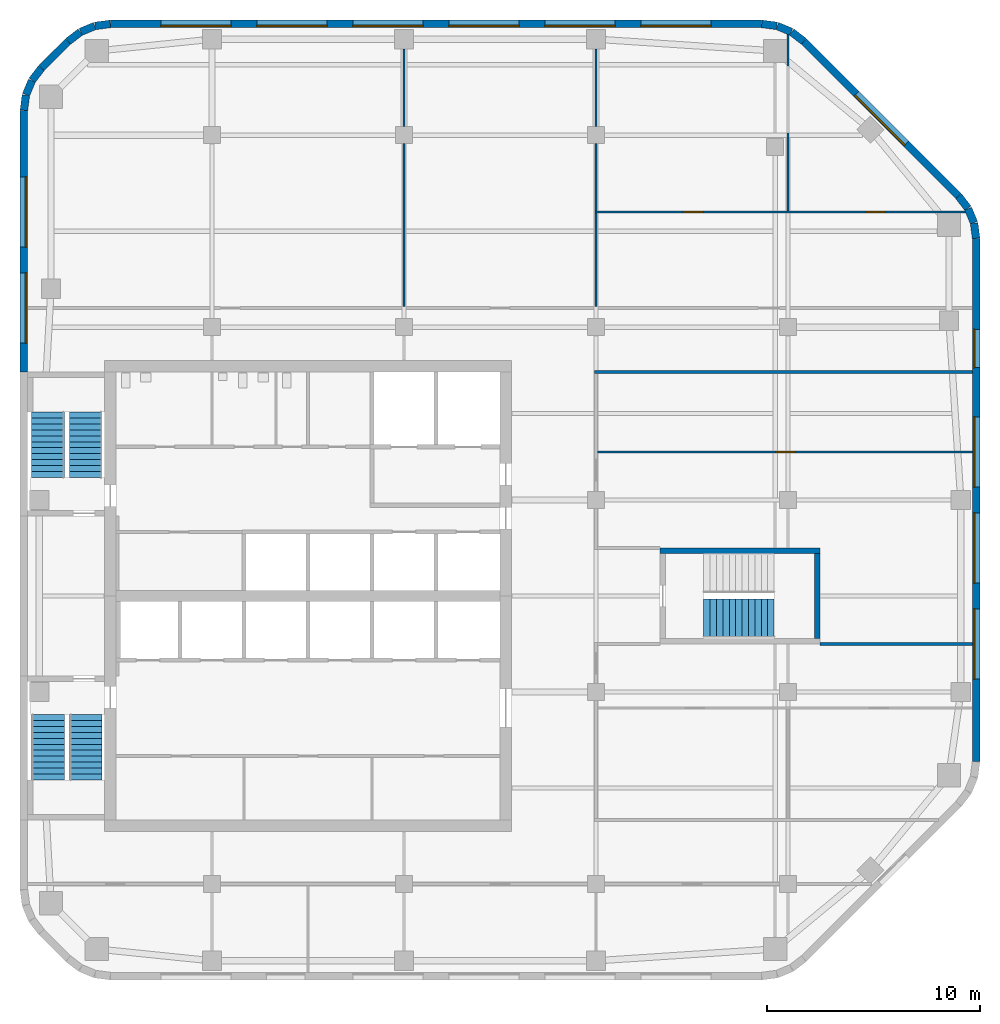
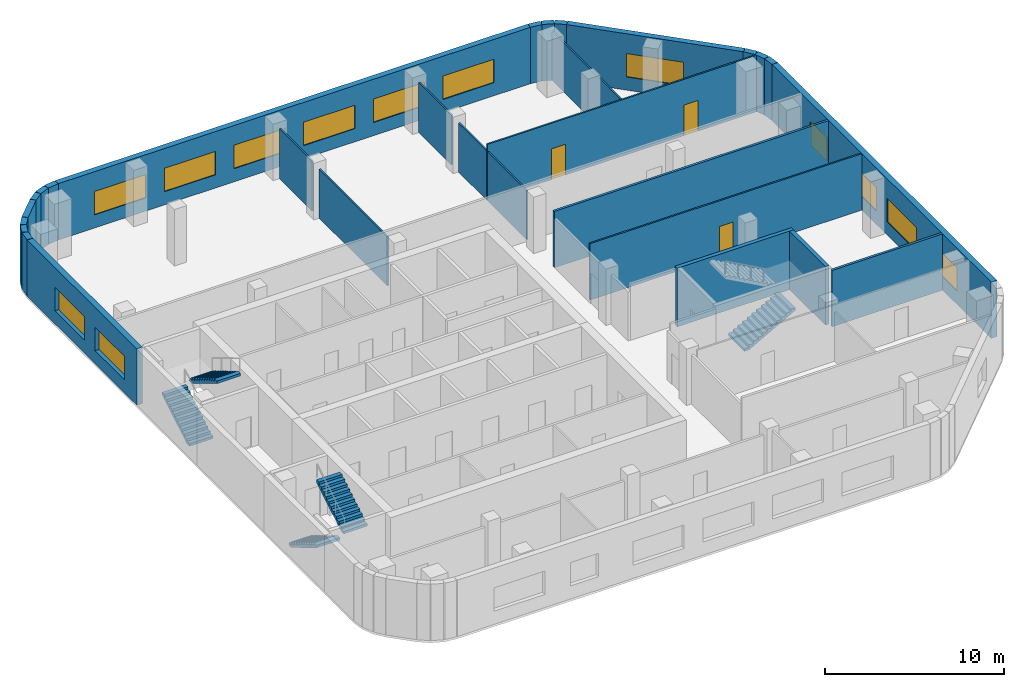
# One storey, part 5 of 8: 29 walls, 13 windows, 5 stair flights, 3 doors, 16 openings, 3 elements without a shape of their own.
"""IFC4 building model written with IfcOpenShell, lengths in metres."""

from ifc_helpers import new_model, si_unit, direction, frame, frame_2d, origin, place, context, subcontext, project, spatial, polyline, rectangle, outline, extrude, material, layer, layer_set, type_object, element, fill, aggregate, save


model = new_model("IFC4")

# Units and contexts
model_context = context("Model", 3, precision=1e-05, world=origin(), true_north=direction((0.0, 1.0)))
body_context = subcontext(model_context, "Body", "Model", "MODEL_VIEW")
ifc_project = project(units=[si_unit("LENGTHUNIT", "METRE"), si_unit("AREAUNIT", "SQUARE_METRE"), si_unit("VOLUMEUNIT", "CUBIC_METRE"), si_unit("PLANEANGLEUNIT", "RADIAN"), si_unit("MASSUNIT", "GRAM", prefix="KILO")], contexts=[model_context])

# Site, building, storey
site_placement = place(None, origin())
site = spatial("IfcSite", under=ifc_project, at=site_placement, CompositionType="ELEMENT")
building_placement = place(site_placement, origin())
building = spatial("IfcBuilding", under=site, at=building_placement, Name="Cinnabar Reach Civic Tower", CompositionType="ELEMENT")
storey_placement = place(building_placement, frame((0.0, 0.0, 222.0)))
storey = spatial("IfcBuildingStorey", under=building, at=storey_placement, Name="L53", CompositionType="ELEMENT", Elevation=222.0)

# Walls
ifc_material_1 = material(Name="Facing brick with insulated backing", Category="masonry")
ifc_layer_1 = layer(ifc_material_1, 0.36)
ifc_layer_set_1 = layer_set([ifc_layer_1], Name="Brick corner wall")
wall_type_1 = type_object("IfcWallType", Name="Brick corner wall", PredefinedType="STANDARD", material=ifc_layer_set_1)
for number, where, z_axis, x_axis, name in (
    (1, (44.817, 48.2686, 0.0), (0.0, 0.0, 1.0), (-0.13055608231, 0.99144092581, 0.0), "Brick corner wall"),
    (2, (44.7181, 48.9973, 0.0), (0.0, 0.0, 1.0), (-0.382702709855, 0.923871547278, 0.0), "Brick corner wall"),
):
    element("IfcWall", number, at=place(storey_placement, frame(where, z_axis=z_axis, x_axis=x_axis)), inside=storey, type_object=wall_type_1, Name=name, PredefinedType="STANDARD", context=body_context, shape_type="SweptSolid", body=[
        extrude(rectangle(XDim=0.7131, YDim=0.36, at=frame_2d((0.3565, 0.0))), origin(), (0.0, 0.0, 1.0), 3.85),
    ])
for number, where, z_axis, x_axis, name in (
    (3, (44.434, 49.6755, 0.0), (0.0, 0.0, 1.0), (-0.608802368033, 0.793321924995, 0.0), "Brick corner wall"),
    (4, (36.7413, 57.4998, 0.0), (0.0, 0.0, 1.0), (-0.793321924995, 0.608802368033, 0.0), "Brick corner wall"),
):
    element("IfcWall", number, at=place(storey_placement, frame(where, z_axis=z_axis, x_axis=x_axis)), inside=storey, type_object=wall_type_1, Name=name, PredefinedType="STANDARD", context=body_context, shape_type="SweptSolid", body=[
        extrude(rectangle(XDim=0.7132, YDim=0.36, at=frame_2d((0.3566, 0.0))), origin(), (0.0, 0.0, 1.0), 3.85),
    ])
for number, where, z_axis, x_axis, name in (
    (5, (36.1561, 57.9452, 0.0), (0.0, 0.0, 1.0), (-0.923871547278, 0.382702709855, 0.0), "Brick corner wall"),
    (6, (35.4756, 58.2239, 0.0), (0.0, 0.0, 1.0), (-0.99144092581, 0.13055608231, 0.0), "Brick corner wall"),
    (7, (4.2314, 58.317, 0.0), (0.0, 0.0, 1.0), (-0.99144092581, -0.13055608231, 0.0), "Brick corner wall"),
    (8, (3.5027, 58.2181, 0.0), (0.0, 0.0, 1.0), (-0.923871547278, -0.382702709855, 0.0), "Brick corner wall"),
):
    element("IfcWall", number, at=place(storey_placement, frame(where, z_axis=z_axis, x_axis=x_axis)), inside=storey, type_object=wall_type_1, Name=name, PredefinedType="STANDARD", context=body_context, shape_type="SweptSolid", body=[
        extrude(rectangle(XDim=0.7131, YDim=0.36, at=frame_2d((0.3565, 0.0))), origin(), (0.0, 0.0, 1.0), 3.85),
    ])
for number, where, z_axis, x_axis, name in (
    (9, (2.8245, 57.934, 0.0), (0.0, 0.0, 1.0), (-0.793321924995, -0.608802368033, 0.0), "Brick corner wall"),
    (10, (1.0002, 56.2413, 0.0), (0.0, 0.0, 1.0), (-0.608802368033, -0.793321924995, 0.0), "Brick corner wall"),
):
    element("IfcWall", number, at=place(storey_placement, frame(where, z_axis=z_axis, x_axis=x_axis)), inside=storey, type_object=wall_type_1, Name=name, PredefinedType="STANDARD", context=body_context, shape_type="SweptSolid", body=[
        extrude(rectangle(XDim=0.7132, YDim=0.36, at=frame_2d((0.3566, 0.0))), origin(), (0.0, 0.0, 1.0), 3.85),
    ])
for number, where, z_axis, x_axis, name in (
    (11, (0.5548, 55.6561, 0.0), (0.0, 0.0, 1.0), (-0.382702709855, -0.923871547278, 0.0), "Brick corner wall"),
    (12, (0.2761, 54.9756, 0.0), (0.0, 0.0, 1.0), (-0.13055608231, -0.99144092581, 0.0), "Brick corner wall"),
):
    element("IfcWall", number, at=place(storey_placement, frame(where, z_axis=z_axis, x_axis=x_axis)), inside=storey, type_object=wall_type_1, Name=name, PredefinedType="STANDARD", context=body_context, shape_type="SweptSolid", body=[
        extrude(rectangle(XDim=0.7131, YDim=0.36, at=frame_2d((0.3565, 0.0))), origin(), (0.0, 0.0, 1.0), 3.85),
    ])

# Wall, openings, windows
ifc_layer_2 = layer(ifc_material_1, 0.36)
ifc_layer_set_2 = layer_set([ifc_layer_2], Name="Brick pier and spandrel wall")
wall_type_2 = type_object("IfcWallType", Name="Brick pier and spandrel wall", PredefinedType="STANDARD", material=ifc_layer_set_2)
wall_1_placement = place(storey_placement, frame((44.82, 23.7426, 0.0), z_axis=(0.0, 0.0, 1.0), x_axis=(0.0, 1.0, 0.0)))
wall_1 = element("IfcWall", 13, at=wall_1_placement, inside=storey, type_object=wall_type_2, Name="Brick facade wall", PredefinedType="STANDARD", context=body_context, shape_type="SweptSolid", body=[
    extrude(rectangle(XDim=24.5148, YDim=0.36, at=frame_2d((12.2574, 0.0))), origin(), (0.0, 0.0, 1.0), 3.85),
])
opening_1_placement = place(wall_1_placement, frame((3.8574, 0.0, 0.9)))
opening_1 = element("IfcOpeningElement", 14, at=opening_1_placement, cuts=wall_1, Name="Opening W2087", PredefinedType="OPENING", context=body_context, shape_type="SweptSolid", body=[
    extrude(rectangle(XDim=3.3, YDim=1.6, at=frame_2d((1.65, 0.8))), frame((0.0, 0.19, 0.0), z_axis=(0.0, -1.0, 0.0), x_axis=(1.0, 0.0, 0.0)), (0.0, 0.0, 1.0), 0.38),
])
opening_2_placement = place(wall_1_placement, frame((8.3574, 0.0, 0.9)))
opening_2 = element("IfcOpeningElement", 15, at=opening_2_placement, cuts=wall_1, Name="Opening W2088", PredefinedType="OPENING", context=body_context, shape_type="SweptSolid", body=[
    extrude(rectangle(XDim=3.3, YDim=1.6, at=frame_2d((1.65, 0.8))), frame((0.0, 0.19, 0.0), z_axis=(0.0, -1.0, 0.0), x_axis=(1.0, 0.0, 0.0)), (0.0, 0.0, 1.0), 0.38),
])
opening_3_placement = place(wall_1_placement, frame((12.8574, 0.0, 0.9)))
opening_3 = element("IfcOpeningElement", 16, at=opening_3_placement, cuts=wall_1, Name="Opening W2089", PredefinedType="OPENING", context=body_context, shape_type="SweptSolid", body=[
    extrude(rectangle(XDim=3.3, YDim=1.6, at=frame_2d((1.65, 0.8))), frame((0.0, 0.19, 0.0), z_axis=(0.0, -1.0, 0.0), x_axis=(1.0, 0.0, 0.0)), (0.0, 0.0, 1.0), 0.38),
])
opening_4_placement = place(wall_1_placement, frame((18.4574, 0.0, 0.9)))
opening_4 = element("IfcOpeningElement", 17, at=opening_4_placement, cuts=wall_1, Name="Opening W2090", PredefinedType="OPENING", context=body_context, shape_type="SweptSolid", body=[
    extrude(rectangle(XDim=1.8, YDim=1.6, at=frame_2d((0.9, 0.8))), frame((0.0, 0.19, 0.0), z_axis=(0.0, -1.0, 0.0), x_axis=(1.0, 0.0, 0.0)), (0.0, 0.0, 1.0), 0.38),
])
ifc_material_2 = material(Name="Clear double glazing in aluminium frame", Category="aluminium")
window_type_1 = type_object("IfcWindowType", Name="Deep-set window A", PartitioningType="SINGLE_PANEL", PredefinedType="WINDOW", material=ifc_material_2)
window_1_placement = place(opening_1_placement, origin())
window_1 = element("IfcWindow", 18, at=window_1_placement, inside=storey, type_object=window_type_1, Name="Window east face", OverallHeight=1.6, OverallWidth=3.3, PartitioningType="SINGLE_PANEL", PredefinedType="WINDOW", context=body_context, shape_type="SweptSolid", body=[
    extrude(rectangle(XDim=3.3, YDim=1.6, at=frame_2d((1.65, 0.8))), frame((0.0, 0.13, 0.0), z_axis=(0.0, -1.0, 0.0), x_axis=(1.0, 0.0, 0.0)), (0.0, 0.0, 1.0), 0.06),
])
fill(opening_1, window_1)
window_2_placement = place(opening_2_placement, origin())
window_2 = element("IfcWindow", 19, at=window_2_placement, inside=storey, type_object=window_type_1, Name="Window east face", OverallHeight=1.6, OverallWidth=3.3, PartitioningType="SINGLE_PANEL", PredefinedType="WINDOW", context=body_context, shape_type="SweptSolid", body=[
    extrude(rectangle(XDim=3.3, YDim=1.6, at=frame_2d((1.65, 0.8))), frame((0.0, 0.13, 0.0), z_axis=(0.0, -1.0, 0.0), x_axis=(1.0, 0.0, 0.0)), (0.0, 0.0, 1.0), 0.06),
])
fill(opening_2, window_2)
window_3_placement = place(opening_3_placement, origin())
window_3 = element("IfcWindow", 20, at=window_3_placement, inside=storey, type_object=window_type_1, Name="Window east face", OverallHeight=1.6, OverallWidth=3.3, PartitioningType="SINGLE_PANEL", PredefinedType="WINDOW", context=body_context, shape_type="SweptSolid", body=[
    extrude(rectangle(XDim=3.3, YDim=1.6, at=frame_2d((1.65, 0.8))), frame((0.0, 0.13, 0.0), z_axis=(0.0, -1.0, 0.0), x_axis=(1.0, 0.0, 0.0)), (0.0, 0.0, 1.0), 0.06),
])
fill(opening_3, window_3)
window_type_2 = type_object("IfcWindowType", Name="Deep-set window D", PartitioningType="SINGLE_PANEL", PredefinedType="WINDOW", material=ifc_material_2)
window_4_placement = place(opening_4_placement, origin())
window_4 = element("IfcWindow", 21, at=window_4_placement, inside=storey, type_object=window_type_2, Name="Window east face", OverallHeight=1.6, OverallWidth=1.8, PartitioningType="SINGLE_PANEL", PredefinedType="WINDOW", context=body_context, shape_type="SweptSolid", body=[
    extrude(rectangle(XDim=1.8, YDim=1.6, at=frame_2d((0.9, 0.8))), frame((0.0, 0.13, 0.0), z_axis=(0.0, -1.0, 0.0), x_axis=(1.0, 0.0, 0.0)), (0.0, 0.0, 1.0), 0.06),
])
fill(opening_4, window_4)

# Wall, opening, window
wall_2_placement = place(storey_placement, frame((43.994, 50.2514, 0.0), z_axis=(0.0, 0.0, 1.0), x_axis=(-0.707106781187, 0.707106781187, 0.0)))
wall_2 = element("IfcWall", 22, at=wall_2_placement, inside=storey, type_object=wall_type_2, Name="Brick facade wall", PredefinedType="STANDARD", context=body_context, shape_type="SweptSolid", body=[
    extrude(rectangle(XDim=10.2426, YDim=0.36, at=frame_2d((5.1213, 0.0))), origin(), (0.0, 0.0, 1.0), 3.85),
])
opening_5_placement = place(wall_2_placement, frame((3.4713, 0.0, 0.9)))
opening_5 = element("IfcOpeningElement", 23, at=opening_5_placement, cuts=wall_2, Name="Opening W2091", PredefinedType="OPENING", context=body_context, shape_type="SweptSolid", body=[
    extrude(rectangle(XDim=3.3, YDim=1.6, at=frame_2d((1.65, 0.8))), frame((0.0, 0.19, 0.0), z_axis=(0.0, -1.0, 0.0), x_axis=(1.0, 0.0, 0.0)), (0.0, 0.0, 1.0), 0.38),
])
window_5_placement = place(opening_5_placement, origin())
window_5 = element("IfcWindow", 24, at=window_5_placement, inside=storey, type_object=window_type_1, Name="Window northeast face", OverallHeight=1.6, OverallWidth=3.3, PartitioningType="SINGLE_PANEL", PredefinedType="WINDOW", context=body_context, shape_type="SweptSolid", body=[
    extrude(rectangle(XDim=3.3, YDim=1.6, at=frame_2d((1.65, 0.8))), frame((0.0, 0.13, 0.0), z_axis=(0.0, -1.0, 0.0), x_axis=(1.0, 0.0, 0.0)), (0.0, 0.0, 1.0), 0.06),
])
fill(opening_5, window_5)

# Wall, openings, windows
wall_3_placement = place(storey_placement, frame((34.7574, 58.32, 0.0), z_axis=(0.0, 0.0, 1.0), x_axis=(-1.0, 0.0, 0.0)))
wall_3 = element("IfcWall", 25, at=wall_3_placement, inside=storey, type_object=wall_type_2, Name="Brick facade wall", PredefinedType="STANDARD", context=body_context, shape_type="SweptSolid", body=[
    extrude(rectangle(XDim=30.5148, YDim=0.36, at=frame_2d((15.2574, 0.0))), origin(), (0.0, 0.0, 1.0), 3.85),
])
opening_6_placement = place(wall_3_placement, frame((2.3574, 0.0, 0.9)))
opening_6 = element("IfcOpeningElement", 26, at=opening_6_placement, cuts=wall_3, Name="Opening W2092", PredefinedType="OPENING", context=body_context, shape_type="SweptSolid", body=[
    extrude(rectangle(XDim=3.3, YDim=1.6, at=frame_2d((1.65, 0.8))), frame((0.0, 0.19, 0.0), z_axis=(0.0, -1.0, 0.0), x_axis=(1.0, 0.0, 0.0)), (0.0, 0.0, 1.0), 0.38),
])
opening_7_placement = place(wall_3_placement, frame((6.8574, 0.0, 0.9)))
opening_7 = element("IfcOpeningElement", 27, at=opening_7_placement, cuts=wall_3, Name="Opening W2093", PredefinedType="OPENING", context=body_context, shape_type="SweptSolid", body=[
    extrude(rectangle(XDim=3.3, YDim=1.6, at=frame_2d((1.65, 0.8))), frame((0.0, 0.19, 0.0), z_axis=(0.0, -1.0, 0.0), x_axis=(1.0, 0.0, 0.0)), (0.0, 0.0, 1.0), 0.38),
])
opening_8_placement = place(wall_3_placement, frame((11.3574, 0.0, 0.9)))
opening_8 = element("IfcOpeningElement", 28, at=opening_8_placement, cuts=wall_3, Name="Opening W2094", PredefinedType="OPENING", context=body_context, shape_type="SweptSolid", body=[
    extrude(rectangle(XDim=3.3, YDim=1.6, at=frame_2d((1.65, 0.8))), frame((0.0, 0.19, 0.0), z_axis=(0.0, -1.0, 0.0), x_axis=(1.0, 0.0, 0.0)), (0.0, 0.0, 1.0), 0.38),
])
opening_9_placement = place(wall_3_placement, frame((15.8574, 0.0, 0.9)))
opening_9 = element("IfcOpeningElement", 29, at=opening_9_placement, cuts=wall_3, Name="Opening W2095", PredefinedType="OPENING", context=body_context, shape_type="SweptSolid", body=[
    extrude(rectangle(XDim=3.3, YDim=1.6, at=frame_2d((1.65, 0.8))), frame((0.0, 0.19, 0.0), z_axis=(0.0, -1.0, 0.0), x_axis=(1.0, 0.0, 0.0)), (0.0, 0.0, 1.0), 0.38),
])
opening_10_placement = place(wall_3_placement, frame((20.3574, 0.0, 0.9)))
opening_10 = element("IfcOpeningElement", 30, at=opening_10_placement, cuts=wall_3, Name="Opening W2096", PredefinedType="OPENING", context=body_context, shape_type="SweptSolid", body=[
    extrude(rectangle(XDim=3.3, YDim=1.6, at=frame_2d((1.65, 0.8))), frame((0.0, 0.19, 0.0), z_axis=(0.0, -1.0, 0.0), x_axis=(1.0, 0.0, 0.0)), (0.0, 0.0, 1.0), 0.38),
])
opening_11_placement = place(wall_3_placement, frame((24.8574, 0.0, 0.9)))
opening_11 = element("IfcOpeningElement", 31, at=opening_11_placement, cuts=wall_3, Name="Opening W2097", PredefinedType="OPENING", context=body_context, shape_type="SweptSolid", body=[
    extrude(rectangle(XDim=3.3, YDim=1.6, at=frame_2d((1.65, 0.8))), frame((0.0, 0.19, 0.0), z_axis=(0.0, -1.0, 0.0), x_axis=(1.0, 0.0, 0.0)), (0.0, 0.0, 1.0), 0.38),
])
window_6_placement = place(opening_6_placement, origin())
window_6 = element("IfcWindow", 32, at=window_6_placement, inside=storey, type_object=window_type_1, Name="Window north face", OverallHeight=1.6, OverallWidth=3.3, PartitioningType="SINGLE_PANEL", PredefinedType="WINDOW", context=body_context, shape_type="SweptSolid", body=[
    extrude(rectangle(XDim=3.3, YDim=1.6, at=frame_2d((1.65, 0.8))), frame((0.0, 0.13, 0.0), z_axis=(0.0, -1.0, 0.0), x_axis=(1.0, 0.0, 0.0)), (0.0, 0.0, 1.0), 0.06),
])
fill(opening_6, window_6)
window_7_placement = place(opening_7_placement, origin())
window_7 = element("IfcWindow", 33, at=window_7_placement, inside=storey, type_object=window_type_1, Name="Window north face", OverallHeight=1.6, OverallWidth=3.3, PartitioningType="SINGLE_PANEL", PredefinedType="WINDOW", context=body_context, shape_type="SweptSolid", body=[
    extrude(rectangle(XDim=3.3, YDim=1.6, at=frame_2d((1.65, 0.8))), frame((0.0, 0.13, 0.0), z_axis=(0.0, -1.0, 0.0), x_axis=(1.0, 0.0, 0.0)), (0.0, 0.0, 1.0), 0.06),
])
fill(opening_7, window_7)
window_8_placement = place(opening_8_placement, origin())
window_8 = element("IfcWindow", 34, at=window_8_placement, inside=storey, type_object=window_type_1, Name="Window north face", OverallHeight=1.6, OverallWidth=3.3, PartitioningType="SINGLE_PANEL", PredefinedType="WINDOW", context=body_context, shape_type="SweptSolid", body=[
    extrude(rectangle(XDim=3.3, YDim=1.6, at=frame_2d((1.65, 0.8))), frame((0.0, 0.13, 0.0), z_axis=(0.0, -1.0, 0.0), x_axis=(1.0, 0.0, 0.0)), (0.0, 0.0, 1.0), 0.06),
])
fill(opening_8, window_8)
window_9_placement = place(opening_9_placement, origin())
window_9 = element("IfcWindow", 35, at=window_9_placement, inside=storey, type_object=window_type_1, Name="Window north face", OverallHeight=1.6, OverallWidth=3.3, PartitioningType="SINGLE_PANEL", PredefinedType="WINDOW", context=body_context, shape_type="SweptSolid", body=[
    extrude(rectangle(XDim=3.3, YDim=1.6, at=frame_2d((1.65, 0.8))), frame((0.0, 0.13, 0.0), z_axis=(0.0, -1.0, 0.0), x_axis=(1.0, 0.0, 0.0)), (0.0, 0.0, 1.0), 0.06),
])
fill(opening_9, window_9)
window_10_placement = place(opening_10_placement, origin())
window_10 = element("IfcWindow", 36, at=window_10_placement, inside=storey, type_object=window_type_1, Name="Window north face", OverallHeight=1.6, OverallWidth=3.3, PartitioningType="SINGLE_PANEL", PredefinedType="WINDOW", context=body_context, shape_type="SweptSolid", body=[
    extrude(rectangle(XDim=3.3, YDim=1.6, at=frame_2d((1.65, 0.8))), frame((0.0, 0.13, 0.0), z_axis=(0.0, -1.0, 0.0), x_axis=(1.0, 0.0, 0.0)), (0.0, 0.0, 1.0), 0.06),
])
fill(opening_10, window_10)
window_11_placement = place(opening_11_placement, origin())
window_11 = element("IfcWindow", 37, at=window_11_placement, inside=storey, type_object=window_type_1, Name="Window north face", OverallHeight=1.6, OverallWidth=3.3, PartitioningType="SINGLE_PANEL", PredefinedType="WINDOW", context=body_context, shape_type="SweptSolid", body=[
    extrude(rectangle(XDim=3.3, YDim=1.6, at=frame_2d((1.65, 0.8))), frame((0.0, 0.13, 0.0), z_axis=(0.0, -1.0, 0.0), x_axis=(1.0, 0.0, 0.0)), (0.0, 0.0, 1.0), 0.06),
])
fill(opening_11, window_11)

# Wall
wall_4_placement = place(storey_placement, frame((2.2486, 57.494, 0.0), z_axis=(0.0, 0.0, 1.0), x_axis=(-0.707106781187, -0.707106781187, 0.0)))
element("IfcWall", 38, at=wall_4_placement, inside=storey, type_object=wall_type_2, Name="Brick facade wall", PredefinedType="STANDARD", context=body_context, shape_type="SweptSolid", body=[
    extrude(rectangle(XDim=1.7573, YDim=0.36, at=frame_2d((0.8787, 0.0))), origin(), (0.0, 0.0, 1.0), 3.85),
])

# Wall, openings, windows
wall_5_placement = place(storey_placement, frame((0.18, 54.2574, 0.0), z_axis=(0.0, 0.0, 1.0), x_axis=(0.0, -1.0, 0.0)))
wall_5 = element("IfcWall", 39, at=wall_5_placement, inside=storey, type_object=wall_type_2, Name="Brick facade wall", PredefinedType="STANDARD", context=body_context, shape_type="SweptSolid", body=[
    extrude(rectangle(XDim=12.2574, YDim=0.36, at=frame_2d((6.1287, 0.0))), origin(), (0.0, 0.0, 1.0), 3.85),
])
opening_12_placement = place(wall_5_placement, frame((3.1074, 0.0, 0.9)))
opening_12 = element("IfcOpeningElement", 40, at=opening_12_placement, cuts=wall_5, Name="Opening W2098", PredefinedType="OPENING", context=body_context, shape_type="SweptSolid", body=[
    extrude(rectangle(XDim=3.3, YDim=1.6, at=frame_2d((1.65, 0.8))), frame((0.0, 0.19, 0.0), z_axis=(0.0, -1.0, 0.0), x_axis=(1.0, 0.0, 0.0)), (0.0, 0.0, 1.0), 0.38),
])
opening_13_placement = place(wall_5_placement, frame((7.6074, 0.0, 0.9)))
opening_13 = element("IfcOpeningElement", 41, at=opening_13_placement, cuts=wall_5, Name="Opening W2099", PredefinedType="OPENING", context=body_context, shape_type="SweptSolid", body=[
    extrude(rectangle(XDim=3.3, YDim=1.6, at=frame_2d((1.65, 0.8))), frame((0.0, 0.19, 0.0), z_axis=(0.0, -1.0, 0.0), x_axis=(1.0, 0.0, 0.0)), (0.0, 0.0, 1.0), 0.38),
])
window_12_placement = place(opening_12_placement, origin())
window_12 = element("IfcWindow", 42, at=window_12_placement, inside=storey, type_object=window_type_1, Name="Window west face", OverallHeight=1.6, OverallWidth=3.3, PartitioningType="SINGLE_PANEL", PredefinedType="WINDOW", context=body_context, shape_type="SweptSolid", body=[
    extrude(rectangle(XDim=3.3, YDim=1.6, at=frame_2d((1.65, 0.8))), frame((0.0, 0.13, 0.0), z_axis=(0.0, -1.0, 0.0), x_axis=(1.0, 0.0, 0.0)), (0.0, 0.0, 1.0), 0.06),
])
fill(opening_12, window_12)
window_13_placement = place(opening_13_placement, origin())
window_13 = element("IfcWindow", 43, at=window_13_placement, inside=storey, type_object=window_type_1, Name="Window west face", OverallHeight=1.6, OverallWidth=3.3, PartitioningType="SINGLE_PANEL", PredefinedType="WINDOW", context=body_context, shape_type="SweptSolid", body=[
    extrude(rectangle(XDim=3.3, YDim=1.6, at=frame_2d((1.65, 0.8))), frame((0.0, 0.13, 0.0), z_axis=(0.0, -1.0, 0.0), x_axis=(1.0, 0.0, 0.0)), (0.0, 0.0, 1.0), 0.06),
])
fill(opening_13, window_13)

# Wall
ifc_material_3 = material(Name="Gypsum board on steel studs, double layer", Category="steel")
ifc_layer_3 = layer(ifc_material_3, 0.15)
ifc_layer_set_3 = layer_set([ifc_layer_3], Name="Corridor wall 150 T1")
wall_type_3 = type_object("IfcWallType", Name="Corridor wall 150 T1", PredefinedType="PARTITIONING", material=ifc_layer_set_3)
wall_6_placement = place(storey_placement, frame((26.925, 42.0, 0.0), z_axis=(0.0, 0.0, 1.0), x_axis=(1.0, 0.0, 0.0)))
element("IfcWall", 44, at=wall_6_placement, inside=storey, type_object=wall_type_3, Name="Corridor wall 25", PredefinedType="PARTITIONING", context=body_context, shape_type="SweptSolid", body=[
    extrude(rectangle(XDim=17.715, YDim=0.15, at=frame_2d((8.8575, 0.0))), origin(), (0.0, 0.0, 1.0), 3.85),
])

# Wall, opening, door
ifc_material_4 = material(Name="Gypsum board on steel studs", Category="steel")
ifc_layer_4 = layer(ifc_material_4, 0.1)
ifc_layer_set_4 = layer_set([ifc_layer_4], Name="Partition wall 100 T1")
wall_type_4 = type_object("IfcWallType", Name="Partition wall 100 T1", PredefinedType="PARTITIONING", material=ifc_layer_set_4)
wall_7_placement = place(storey_placement, frame((27.075, 38.25, 0.0), z_axis=(0.0, 0.0, 1.0), x_axis=(1.0, 0.0, 0.0)))
wall_7 = element("IfcWall", 45, at=wall_7_placement, inside=storey, type_object=wall_type_4, Name="Partition wall 41", PredefinedType="PARTITIONING", context=body_context, shape_type="SweptSolid", body=[
    extrude(rectangle(XDim=17.565, YDim=0.1, at=frame_2d((8.7825, 0.0))), origin(), (0.0, 0.0, 1.0), 3.85),
])
opening_14_placement = place(wall_7_placement, frame((8.35, 0.0, 0.0)))
opening_14 = element("IfcOpeningElement", 46, at=opening_14_placement, cuts=wall_7, Name="Opening D5174", PredefinedType="OPENING", context=body_context, shape_type="SweptSolid", body=[
    extrude(rectangle(XDim=0.9, YDim=2.1, at=frame_2d((0.45, 1.05))), frame((0.0, 0.06, 0.0), z_axis=(0.0, -1.0, 0.0), x_axis=(1.0, 0.0, 0.0)), (0.0, 0.0, 1.0), 0.12),
])
ifc_material_5 = material(Name="Timber door leaf in steel frame", Category="steel")
door_type = type_object("IfcDoorType", Name="Single swing door 900 x 2100 T1", OperationType="SINGLE_SWING_LEFT", PredefinedType="DOOR", material=ifc_material_5)
door_1_placement = place(opening_14_placement, origin())
door_1 = element("IfcDoor", 47, at=door_1_placement, inside=storey, type_object=door_type, Name="Door D5174", OperationType="SINGLE_SWING_LEFT", OverallHeight=2.1, OverallWidth=0.9, PredefinedType="DOOR", context=body_context, shape_type="SweptSolid", body=[
    extrude(rectangle(XDim=0.9, YDim=2.1, at=frame_2d((0.45, 1.05))), frame((0.0, 0.025, 0.0), z_axis=(0.0, -1.0, 0.0), x_axis=(1.0, 0.0, 0.0)), (0.0, 0.0, 1.0), 0.05),
])
fill(opening_14, door_1)

# Wall, openings, doors
wall_8_placement = place(storey_placement, frame((26.95, 49.5, 0.0), z_axis=(0.0, 0.0, 1.0), x_axis=(1.0, 0.0, 0.0)))
wall_8 = element("IfcWall", 48, at=wall_8_placement, inside=storey, type_object=wall_type_4, Name="Partition wall 42", PredefinedType="PARTITIONING", context=body_context, shape_type="SweptSolid", body=[
    extrude(rectangle(XDim=17.365, YDim=0.1, at=frame_2d((8.6825, 0.0))), origin(), (0.0, 0.0, 1.0), 3.85),
])
opening_15_placement = place(wall_8_placement, frame((4.15, 0.0, 0.0)))
opening_15 = element("IfcOpeningElement", 49, at=opening_15_placement, cuts=wall_8, Name="Opening D5184", PredefinedType="OPENING", context=body_context, shape_type="SweptSolid", body=[
    extrude(rectangle(XDim=0.9, YDim=2.1, at=frame_2d((0.45, 1.05))), frame((0.0, 0.06, 0.0), z_axis=(0.0, -1.0, 0.0), x_axis=(1.0, 0.0, 0.0)), (0.0, 0.0, 1.0), 0.12),
])
opening_16_placement = place(wall_8_placement, frame((12.7, 0.0, 0.0)))
opening_16 = element("IfcOpeningElement", 50, at=opening_16_placement, cuts=wall_8, Name="Opening D5185", PredefinedType="OPENING", context=body_context, shape_type="SweptSolid", body=[
    extrude(rectangle(XDim=0.9, YDim=2.1, at=frame_2d((0.45, 1.05))), frame((0.0, 0.06, 0.0), z_axis=(0.0, -1.0, 0.0), x_axis=(1.0, 0.0, 0.0)), (0.0, 0.0, 1.0), 0.12),
])
door_2_placement = place(opening_15_placement, origin())
door_2 = element("IfcDoor", 51, at=door_2_placement, inside=storey, type_object=door_type, Name="Door D5184", OperationType="SINGLE_SWING_LEFT", OverallHeight=2.1, OverallWidth=0.9, PredefinedType="DOOR", context=body_context, shape_type="SweptSolid", body=[
    extrude(rectangle(XDim=0.9, YDim=2.1, at=frame_2d((0.45, 1.05))), frame((0.0, 0.025, 0.0), z_axis=(0.0, -1.0, 0.0), x_axis=(1.0, 0.0, 0.0)), (0.0, 0.0, 1.0), 0.05),
])
fill(opening_15, door_2)
door_3_placement = place(opening_16_placement, origin())
door_3 = element("IfcDoor", 52, at=door_3_placement, inside=storey, type_object=door_type, Name="Door D5185", OperationType="SINGLE_SWING_LEFT", OverallHeight=2.1, OverallWidth=0.9, PredefinedType="DOOR", context=body_context, shape_type="SweptSolid", body=[
    extrude(rectangle(XDim=0.9, YDim=2.1, at=frame_2d((0.45, 1.05))), frame((0.0, 0.025, 0.0), z_axis=(0.0, -1.0, 0.0), x_axis=(1.0, 0.0, 0.0)), (0.0, 0.0, 1.0), 0.05),
])
fill(opening_16, door_3)

# Walls
wall_9_placement = place(storey_placement, frame((18.0, 45.075, 0.0), z_axis=(0.0, 0.0, 1.0), x_axis=(0.0, 1.0, 0.0)))
element("IfcWall", 53, at=wall_9_placement, inside=storey, type_object=wall_type_4, Name="Partition wall 43", PredefinedType="PARTITIONING", context=body_context, shape_type="SweptSolid", body=[
    extrude(rectangle(XDim=7.625, YDim=0.1, at=frame_2d((3.8125, 0.0))), origin(), (0.0, 0.0, 1.0), 3.35),
])
wall_10_placement = place(storey_placement, frame((18.0, 53.5, 0.0), z_axis=(0.0, 0.0, 1.0), x_axis=(0.0, 1.0, 0.0)))
element("IfcWall", 54, at=wall_10_placement, inside=storey, type_object=wall_type_4, Name="Partition wall 44", PredefinedType="PARTITIONING", context=body_context, shape_type="SweptSolid", body=[
    extrude(rectangle(XDim=3.65, YDim=0.1, at=frame_2d((1.825, 0.0))), origin(), (0.0, 0.0, 1.0), 3.41),
])
wall_11_placement = place(storey_placement, frame((27.0, 45.075, 0.0), z_axis=(0.0, 0.0, 1.0), x_axis=(0.0, 1.0, 0.0)))
element("IfcWall", 55, at=wall_11_placement, inside=storey, type_object=wall_type_4, Name="Partition wall 45", PredefinedType="PARTITIONING", context=body_context, shape_type="SweptSolid", body=[
    extrude(rectangle(XDim=4.375, YDim=0.1, at=frame_2d((2.1875, 0.0))), origin(), (0.0, 0.0, 1.0), 3.35),
])
wall_12_placement = place(storey_placement, frame((27.0, 49.55, 0.0), z_axis=(0.0, 0.0, 1.0), x_axis=(0.0, 1.0, 0.0)))
element("IfcWall", 56, at=wall_12_placement, inside=storey, type_object=wall_type_4, Name="Partition wall 46", PredefinedType="PARTITIONING", context=body_context, shape_type="SweptSolid", body=[
    extrude(rectangle(XDim=3.15, YDim=0.1, at=frame_2d((1.575, 0.0))), origin(), (0.0, 0.0, 1.0), 3.35),
])
wall_13_placement = place(storey_placement, frame((27.0, 53.5, 0.0), z_axis=(0.0, 0.0, 1.0), x_axis=(0.0, 1.0, 0.0)))
element("IfcWall", 57, at=wall_13_placement, inside=storey, type_object=wall_type_4, Name="Partition wall 47", PredefinedType="PARTITIONING", context=body_context, shape_type="SweptSolid", body=[
    extrude(rectangle(XDim=3.65, YDim=0.1, at=frame_2d((1.825, 0.0))), origin(), (0.0, 0.0, 1.0), 3.41),
])
wall_14_placement = place(storey_placement, frame((36.0, 49.55, 0.0), z_axis=(0.0, 0.0, 1.0), x_axis=(0.0, 1.0, 0.0)))
element("IfcWall", 58, at=wall_14_placement, inside=storey, type_object=wall_type_4, Name="Partition wall 48", PredefinedType="PARTITIONING", context=body_context, shape_type="SweptSolid", body=[
    extrude(rectangle(XDim=8.265, YDim=0.1, at=frame_2d((4.1325, 0.0))), origin(), (0.0, 0.0, 1.0), 3.35),
])
ifc_material_6 = material(Name="Concrete C60", Category="concrete")
ifc_layer_5 = layer(ifc_material_6, 0.25)
ifc_layer_set_5 = layer_set([ifc_layer_5], Name="Stair shaft wall 250 EI 120")
wall_type_5 = type_object("IfcWallType", Name="Stair shaft wall 250 EI 120", PredefinedType="SOLIDWALL", material=ifc_layer_set_5)
wall_15_placement = place(storey_placement, frame((37.5, 33.625, 0.0), z_axis=(0.0, 0.0, 1.0), x_axis=(-1.0, 0.0, 0.0)))
element("IfcWall", 59, at=wall_15_placement, inside=storey, type_object=wall_type_5, Name="Stair shaft wall T1-S3 L53", PredefinedType="SOLIDWALL", context=body_context, shape_type="SweptSolid", body=[
    extrude(rectangle(XDim=7.5, YDim=0.25, at=frame_2d((3.75, 0.0))), origin(), (0.0, 0.0, 1.0), 4.0),
])
wall_16_placement = place(storey_placement, frame((37.375, 29.5, 0.0), z_axis=(0.0, 0.0, 1.0), x_axis=(0.0, 1.0, 0.0)))
element("IfcWall", 60, at=wall_16_placement, inside=storey, type_object=wall_type_5, Name="Stair shaft wall T1-S3 L53", PredefinedType="SOLIDWALL", context=body_context, shape_type="SweptSolid", body=[
    extrude(rectangle(XDim=4.0, YDim=0.25, at=frame_2d((2.0, 0.0))), origin(), (0.0, 0.0, 1.0), 4.0),
])
ifc_layer_6 = layer(ifc_material_3, 0.15)
ifc_layer_set_6 = layer_set([ifc_layer_6], Name="Tenancy separating wall 150 T1")
wall_type_6 = type_object("IfcWallType", Name="Tenancy separating wall 150 T1", PredefinedType="PARTITIONING", material=ifc_layer_set_6)
wall_17_placement = place(storey_placement, frame((37.5, 29.25, 0.0), z_axis=(0.0, 0.0, 1.0), x_axis=(1.0, 0.0, 0.0)))
element("IfcWall", 61, at=wall_17_placement, inside=storey, type_object=wall_type_6, Name="Tenancy separating wall 39", PredefinedType="PARTITIONING", context=body_context, shape_type="SweptSolid", body=[
    extrude(rectangle(XDim=7.14, YDim=0.15, at=frame_2d((3.57, 0.0))), origin(), (0.0, 0.0, 1.0), 3.85),
])

# Stair, stair flights
ifc_material_7 = material(Name="Concrete C40/50", Category="concrete")
stair_type = type_object("IfcStairType", Name="T1 Exit stair, half-turn", PredefinedType="HALF_TURN_STAIR", material=ifc_material_7)
stair_1_placement = place(storey_placement, origin())
stair_1 = element("IfcStair", 62, at=stair_1_placement, inside=storey, type_object=stair_type, Name="Stair T1-S1", PredefinedType="HALF_TURN_STAIR")
stair_flight_type = type_object("IfcStairFlightType", Name="T1 Stair flight, concrete", PredefinedType="STRAIGHT", material=ifc_material_7)
stair_flight_1_placement = place(storey_placement, frame((1.3125, 25.95, 0.0), z_axis=(0.0, 0.0, 1.0), x_axis=(0.0, -1.0, 0.0)))
stair_flight_1 = element("IfcStairFlight", 63, at=stair_flight_1_placement, type_object=stair_flight_type, Name="T1-S1 flight 1", NumberOfRisers=12, NumberOfTreads=11, PredefinedType="STRAIGHT", RiserHeight=0.166666667, TreadLength=0.28, context=body_context, shape_type="SweptSolid", body=[
    extrude(outline(polyline([(0.0, 0.0), (0.0, 0.1667), (0.28, 0.1667), (0.28, 0.3333), (0.56, 0.3333), (0.56, 0.5), (0.84, 0.5), (0.84, 0.6667), (1.12, 0.6667), (1.12, 0.8333), (1.4, 0.8333), (1.4, 1.0), (1.68, 1.0), (1.68, 1.1667), (1.96, 1.1667), (1.96, 1.3333), (2.24, 1.3333), (2.24, 1.5), (2.52, 1.5), (2.52, 1.6667), (2.8, 1.6667), (2.8, 1.8333), (3.08, 1.8333), (3.08, 2.0), (3.08, 1.6588), (0.2933, 0.0), (0.0, 0.0)])), frame((0.0, 0.7625, 0.0), z_axis=(0.0, -1.0, 0.0), x_axis=(1.0, 0.0, 0.0)), (0.0, 0.0, 1.0), 1.525),
])
stair_flight_2_placement = place(storey_placement, frame((3.0875, 22.87, 2.0), z_axis=(0.0, 0.0, 1.0), x_axis=(0.0, 1.0, 0.0)))
stair_flight_2 = element("IfcStairFlight", 64, at=stair_flight_2_placement, type_object=stair_flight_type, Name="T1-S1 flight 2", NumberOfRisers=12, NumberOfTreads=11, PredefinedType="STRAIGHT", RiserHeight=0.166666667, TreadLength=0.28, context=body_context, shape_type="SweptSolid", body=[
    extrude(outline(polyline([(0.0, 0.0), (0.0, 0.1667), (0.28, 0.1667), (0.28, 0.3333), (0.56, 0.3333), (0.56, 0.5), (0.84, 0.5), (0.84, 0.6667), (1.12, 0.6667), (1.12, 0.8333), (1.4, 0.8333), (1.4, 1.0), (1.68, 1.0), (1.68, 1.1667), (1.96, 1.1667), (1.96, 1.3333), (2.24, 1.3333), (2.24, 1.5), (2.52, 1.5), (2.52, 1.6667), (2.8, 1.6667), (2.8, 1.8333), (3.08, 1.8333), (3.08, 2.0), (3.08, 1.6588), (0.2933, 0.0), (0.0, 0.0)])), frame((0.0, 0.7625, 0.0), z_axis=(0.0, -1.0, 0.0), x_axis=(1.0, 0.0, 0.0)), (0.0, 0.0, 1.0), 1.525),
])
aggregate(stair_1, [stair_flight_1, stair_flight_2])

stair_2_placement = place(storey_placement, origin())
stair_2 = element("IfcStair", 65, at=stair_2_placement, inside=storey, type_object=stair_type, Name="Stair T1-S2", PredefinedType="HALF_TURN_STAIR")
stair_flight_3_placement = place(storey_placement, frame((1.3125, 37.05, 0.0), z_axis=(0.0, 0.0, 1.0), x_axis=(0.0, 1.0, 0.0)))
stair_flight_3 = element("IfcStairFlight", 66, at=stair_flight_3_placement, type_object=stair_flight_type, Name="T1-S2 flight 1", NumberOfRisers=12, NumberOfTreads=11, PredefinedType="STRAIGHT", RiserHeight=0.166666667, TreadLength=0.28, context=body_context, shape_type="SweptSolid", body=[
    extrude(outline(polyline([(0.0, 0.0), (0.0, 0.1667), (0.28, 0.1667), (0.28, 0.3333), (0.56, 0.3333), (0.56, 0.5), (0.84, 0.5), (0.84, 0.6667), (1.12, 0.6667), (1.12, 0.8333), (1.4, 0.8333), (1.4, 1.0), (1.68, 1.0), (1.68, 1.1667), (1.96, 1.1667), (1.96, 1.3333), (2.24, 1.3333), (2.24, 1.5), (2.52, 1.5), (2.52, 1.6667), (2.8, 1.6667), (2.8, 1.8333), (3.08, 1.8333), (3.08, 2.0), (3.08, 1.6588), (0.2933, 0.0), (0.0, 0.0)])), frame((0.0, 0.7625, 0.0), z_axis=(0.0, -1.0, 0.0), x_axis=(1.0, 0.0, 0.0)), (0.0, 0.0, 1.0), 1.525),
])
stair_flight_4_placement = place(storey_placement, frame((3.0875, 40.13, 2.0), z_axis=(0.0, 0.0, 1.0), x_axis=(0.0, -1.0, 0.0)))
stair_flight_4 = element("IfcStairFlight", 67, at=stair_flight_4_placement, type_object=stair_flight_type, Name="T1-S2 flight 2", NumberOfRisers=12, NumberOfTreads=11, PredefinedType="STRAIGHT", RiserHeight=0.166666667, TreadLength=0.28, context=body_context, shape_type="SweptSolid", body=[
    extrude(outline(polyline([(0.0, 0.0), (0.0, 0.1667), (0.28, 0.1667), (0.28, 0.3333), (0.56, 0.3333), (0.56, 0.5), (0.84, 0.5), (0.84, 0.6667), (1.12, 0.6667), (1.12, 0.8333), (1.4, 0.8333), (1.4, 1.0), (1.68, 1.0), (1.68, 1.1667), (1.96, 1.1667), (1.96, 1.3333), (2.24, 1.3333), (2.24, 1.5), (2.52, 1.5), (2.52, 1.6667), (2.8, 1.6667), (2.8, 1.8333), (3.08, 1.8333), (3.08, 2.0), (3.08, 1.6588), (0.2933, 0.0), (0.0, 0.0)])), frame((0.0, 0.7625, 0.0), z_axis=(0.0, -1.0, 0.0), x_axis=(1.0, 0.0, 0.0)), (0.0, 0.0, 1.0), 1.525),
])
aggregate(stair_2, [stair_flight_3, stair_flight_4])

# Stair, stair flight
stair_3_placement = place(storey_placement, origin())
stair_3 = element("IfcStair", 68, at=stair_3_placement, inside=storey, type_object=stair_type, Name="Stair T1-S3", PredefinedType="HALF_TURN_STAIR")
stair_flight_5_placement = place(storey_placement, frame((32.05, 30.45, 0.0), z_axis=(0.0, 0.0, 1.0), x_axis=(1.0, 0.0, 0.0)))
stair_flight_5 = element("IfcStairFlight", 69, at=stair_flight_5_placement, type_object=stair_flight_type, Name="T1-S3 flight 1", NumberOfRisers=12, NumberOfTreads=11, PredefinedType="STRAIGHT", RiserHeight=0.166666667, TreadLength=0.3, context=body_context, shape_type="SweptSolid", body=[
    extrude(outline(polyline([(0.0, 0.0), (0.0, 0.1667), (0.3, 0.1667), (0.3, 0.3333), (0.6, 0.3333), (0.6, 0.5), (0.9, 0.5), (0.9, 0.6667), (1.2, 0.6667), (1.2, 0.8333), (1.5, 0.8333), (1.5, 1.0), (1.8, 1.0), (1.8, 1.1667), (2.1, 1.1667), (2.1, 1.3333), (2.4, 1.3333), (2.4, 1.5), (2.7, 1.5), (2.7, 1.6667), (3.0, 1.6667), (3.0, 1.8333), (3.3, 1.8333), (3.3, 2.0), (3.3, 1.6617), (0.3089, 0.0), (0.0, 0.0)])), frame((0.0, 0.9, 0.0), z_axis=(0.0, -1.0, 0.0), x_axis=(1.0, 0.0, 0.0)), (0.0, 0.0, 1.0), 1.8),
])
aggregate(stair_3, [stair_flight_5])

save(model, "model.ifc")
